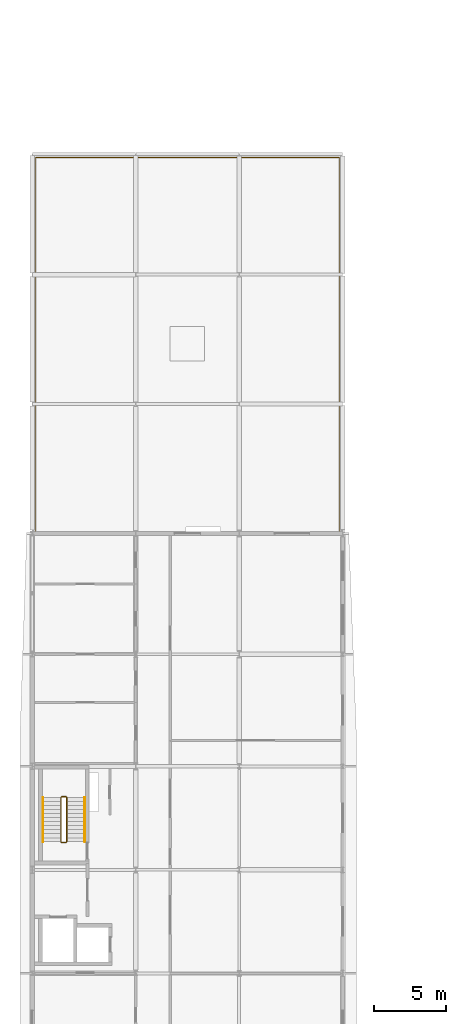
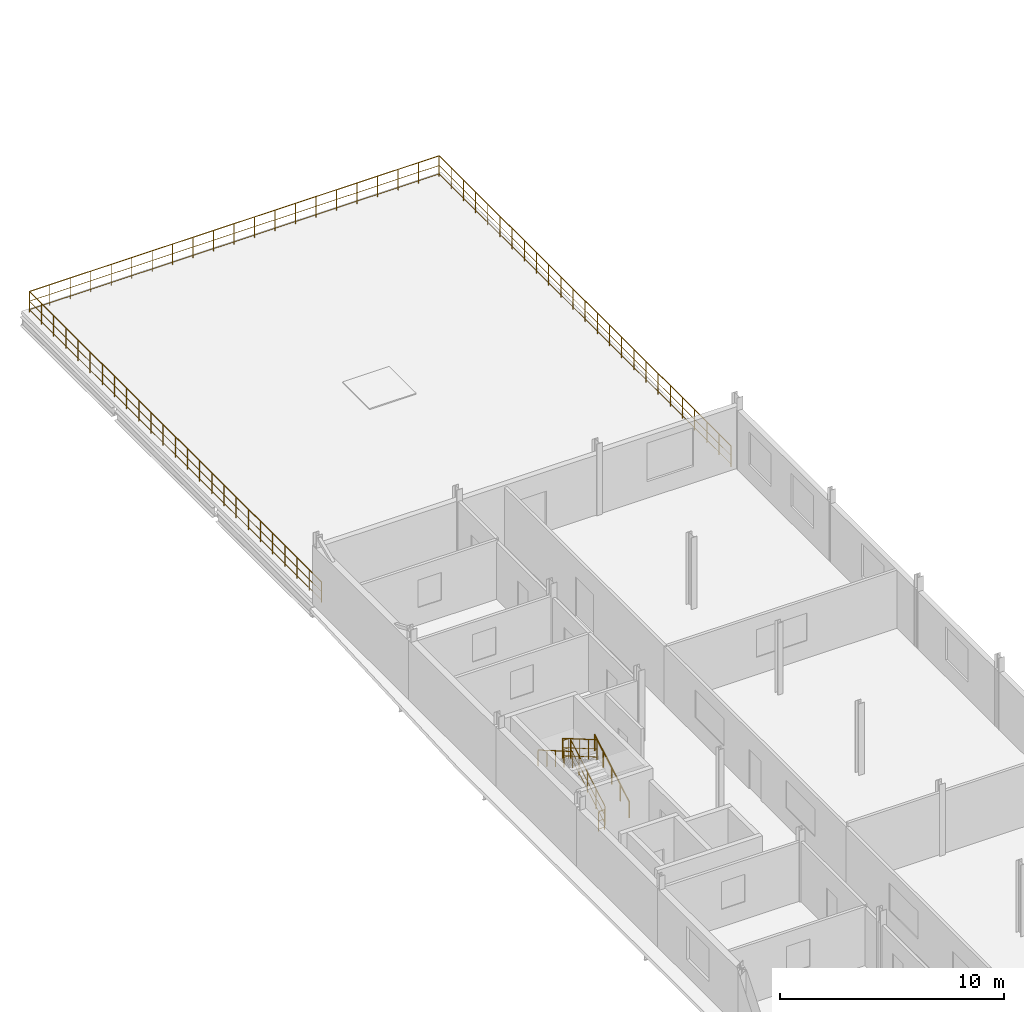
# One storey, part 17 of 17: 7 railings.
"""IFC4 building model written with IfcOpenShell, lengths in metres."""

from ifc_helpers import new_model, si_unit, direction, frame, origin, origin_2d, place, context, subcontext, project, spatial, circle, extrude, material, type_object, element, save


model = new_model("IFC4")

# Units and contexts
model_context = context("Model", 3, precision=1e-05, world=origin(), true_north=direction((0.0, 1.0)))
body_context = subcontext(model_context, "Body", "Model", "MODEL_VIEW")
ifc_project = project(units=[si_unit("LENGTHUNIT", "METRE"), si_unit("AREAUNIT", "SQUARE_METRE"), si_unit("VOLUMEUNIT", "CUBIC_METRE"), si_unit("PLANEANGLEUNIT", "RADIAN"), si_unit("MASSUNIT", "GRAM", prefix="KILO")], contexts=[model_context])

# Site, building, storey
site_placement = place(None, origin())
site = spatial("IfcSite", under=ifc_project, at=site_placement, CompositionType="ELEMENT")
building_placement = place(site_placement, origin())
building = spatial("IfcBuilding", under=site, at=building_placement, Name="Vinh Khe Railworks Police Headquarters", CompositionType="ELEMENT")
storey_placement = place(building_placement, frame((0.0, 0.0, 24.89990234375)))
storey = spatial("IfcBuildingStorey", under=building, at=storey_placement, Name="L06", CompositionType="ELEMENT", Elevation=24.89990234375)

# Railings
ifc_material_1 = material(Name="Dark steel and laminated safety glass", Category="steel")
railing_type_1 = type_object("IfcRailingType", Name="RL-ATRIUM-1150", PredefinedType="BALUSTRADE", material=ifc_material_1)
railing_1_placement = place(storey_placement, frame((0.85009765625, 104.5, 0.0)))
element("IfcRailing", 1, at=railing_1_placement, inside=storey, type_object=railing_type_1, Name="Atrium and Terrace Guard Balustrade GR-V5-L06-TERR", PredefinedType="BALUSTRADE", context=body_context, shape_type="SweptSolid", body=[
    extrude(circle(Radius=0.02392578125, at=origin_2d()), frame((0.0, 0.0, 1.1259765625), z_axis=(0.0, 1.0, 0.0), x_axis=(-1.0, 0.0, 0.0)), (0.0, 0.0, 1.0), 26.050048828125),
    extrude(circle(Radius=0.01416015625, at=origin_2d()), frame((0.0, 0.0, 0.137939453125), z_axis=(0.0, 1.0, 0.0), x_axis=(-1.0, 0.0, 0.0)), (0.0, 0.0, 1.0), 26.050048828125),
    extrude(circle(Radius=0.01416015625, at=origin_2d()), frame((0.0, 0.0, 0.597900390625), z_axis=(0.0, 1.0, 0.0), x_axis=(-1.0, 0.0, 0.0)), (0.0, 0.0, 1.0), 26.050048828125),
    extrude(circle(Radius=0.02392578125, at=origin_2d()), frame((0.0, 26.050048828125, 1.1259765625), z_axis=(1.0, 0.0, 0.0), x_axis=(0.0, 1.0, 0.0)), (0.0, 0.0, 1.0), 21.099853515625),
    extrude(circle(Radius=0.01416015625, at=origin_2d()), frame((0.0, 26.050048828125, 0.137939453125), z_axis=(1.0, 0.0, 0.0), x_axis=(0.0, 1.0, 0.0)), (0.0, 0.0, 1.0), 21.099853515625),
    extrude(circle(Radius=0.01416015625, at=origin_2d()), frame((0.0, 26.050048828125, 0.597900390625), z_axis=(1.0, 0.0, 0.0), x_axis=(0.0, 1.0, 0.0)), (0.0, 0.0, 1.0), 21.099853515625),
    extrude(circle(Radius=0.02392578125, at=origin_2d()), frame((21.099853515625, 26.050048828125, 1.1259765625), z_axis=(0.0, -1.0, 0.0), x_axis=(1.0, 0.0, 0.0)), (0.0, 0.0, 1.0), 26.050048828125),
    extrude(circle(Radius=0.01416015625, at=origin_2d()), frame((21.099853515625, 26.050048828125, 0.137939453125), z_axis=(0.0, -1.0, 0.0), x_axis=(1.0, 0.0, 0.0)), (0.0, 0.0, 1.0), 26.050048828125),
    extrude(circle(Radius=0.01416015625, at=origin_2d()), frame((21.099853515625, 26.050048828125, 0.597900390625), z_axis=(0.0, -1.0, 0.0), x_axis=(1.0, 0.0, 0.0)), (0.0, 0.0, 1.0), 26.050048828125),
    extrude(circle(Radius=0.02099609375, at=origin_2d()), origin(), (0.0, 0.0, 1.0), 1.101806640625),
    extrude(circle(Radius=0.02099609375, at=origin_2d()), frame((0.0, 1.08544921875, 0.0)), (0.0, 0.0, 1.0), 1.101806640625),
    extrude(circle(Radius=0.02099609375, at=origin_2d()), frame((0.0, 2.1708984375, 0.0)), (0.0, 0.0, 1.0), 1.101806640625),
    extrude(circle(Radius=0.02099609375, at=origin_2d()), frame((0.0, 3.25634765625, 0.0)), (0.0, 0.0, 1.0), 1.101806640625),
    extrude(circle(Radius=0.02099609375, at=origin_2d()), frame((0.0, 4.341796875, 0.0)), (0.0, 0.0, 1.0), 1.101806640625),
    extrude(circle(Radius=0.02099609375, at=origin_2d()), frame((0.0, 5.427001953125, 0.0)), (0.0, 0.0, 1.0), 1.101806640625),
    extrude(circle(Radius=0.02099609375, at=origin_2d()), frame((0.0, 6.512451171875, 0.0)), (0.0, 0.0, 1.0), 1.101806640625),
    extrude(circle(Radius=0.02099609375, at=origin_2d()), frame((0.0, 7.597900390625, 0.0)), (0.0, 0.0, 1.0), 1.101806640625),
    extrude(circle(Radius=0.02099609375, at=origin_2d()), frame((0.0, 8.683349609375, 0.0)), (0.0, 0.0, 1.0), 1.101806640625),
    extrude(circle(Radius=0.02099609375, at=origin_2d()), frame((0.0, 9.768798828125, 0.0)), (0.0, 0.0, 1.0), 1.101806640625),
    extrude(circle(Radius=0.02099609375, at=origin_2d()), frame((0.0, 10.854248046875, 0.0)), (0.0, 0.0, 1.0), 1.101806640625),
    extrude(circle(Radius=0.02099609375, at=origin_2d()), frame((0.0, 11.939697265625, 0.0)), (0.0, 0.0, 1.0), 1.101806640625),
    extrude(circle(Radius=0.02099609375, at=origin_2d()), frame((0.0, 13.02490234375, 0.0)), (0.0, 0.0, 1.0), 1.101806640625),
    extrude(circle(Radius=0.02099609375, at=origin_2d()), frame((0.0, 14.1103515625, 0.0)), (0.0, 0.0, 1.0), 1.101806640625),
    extrude(circle(Radius=0.02099609375, at=origin_2d()), frame((0.0, 15.19580078125, 0.0)), (0.0, 0.0, 1.0), 1.101806640625),
    extrude(circle(Radius=0.02099609375, at=origin_2d()), frame((0.0, 16.28125, 0.0)), (0.0, 0.0, 1.0), 1.101806640625),
    extrude(circle(Radius=0.02099609375, at=origin_2d()), frame((0.0, 17.36669921875, 0.0)), (0.0, 0.0, 1.0), 1.101806640625),
    extrude(circle(Radius=0.02099609375, at=origin_2d()), frame((0.0, 18.4521484375, 0.0)), (0.0, 0.0, 1.0), 1.101806640625),
    extrude(circle(Radius=0.02099609375, at=origin_2d()), frame((0.0, 19.53759765625, 0.0)), (0.0, 0.0, 1.0), 1.101806640625),
    extrude(circle(Radius=0.02099609375, at=origin_2d()), frame((0.0, 20.623046875, 0.0)), (0.0, 0.0, 1.0), 1.101806640625),
    extrude(circle(Radius=0.02099609375, at=origin_2d()), frame((0.0, 21.70849609375, 0.0)), (0.0, 0.0, 1.0), 1.101806640625),
    extrude(circle(Radius=0.02099609375, at=origin_2d()), frame((0.0, 22.793701171875, 0.0)), (0.0, 0.0, 1.0), 1.101806640625),
    extrude(circle(Radius=0.02099609375, at=origin_2d()), frame((0.0, 23.879150390625, 0.0)), (0.0, 0.0, 1.0), 1.101806640625),
    extrude(circle(Radius=0.02099609375, at=origin_2d()), frame((0.0, 24.964599609375, 0.0)), (0.0, 0.0, 1.0), 1.101806640625),
    extrude(circle(Radius=0.02099609375, at=origin_2d()), frame((0.0, 26.050048828125, 0.0)), (0.0, 0.0, 1.0), 1.101806640625),
    extrude(circle(Radius=0.02099609375, at=origin_2d()), frame((1.054931640625, 26.050048828125, 0.0)), (0.0, 0.0, 1.0), 1.101806640625),
    extrude(circle(Radius=0.02099609375, at=origin_2d()), frame((2.10986328125, 26.050048828125, 0.0)), (0.0, 0.0, 1.0), 1.101806640625),
    extrude(circle(Radius=0.02099609375, at=origin_2d()), frame((3.1650390625, 26.050048828125, 0.0)), (0.0, 0.0, 1.0), 1.101806640625),
    extrude(circle(Radius=0.02099609375, at=origin_2d()), frame((4.219970703125, 26.050048828125, 0.0)), (0.0, 0.0, 1.0), 1.101806640625),
    extrude(circle(Radius=0.02099609375, at=origin_2d()), frame((5.27490234375, 26.050048828125, 0.0)), (0.0, 0.0, 1.0), 1.101806640625),
    extrude(circle(Radius=0.02099609375, at=origin_2d()), frame((6.330078125, 26.050048828125, 0.0)), (0.0, 0.0, 1.0), 1.101806640625),
    extrude(circle(Radius=0.02099609375, at=origin_2d()), frame((7.385009765625, 26.050048828125, 0.0)), (0.0, 0.0, 1.0), 1.101806640625),
    extrude(circle(Radius=0.02099609375, at=origin_2d()), frame((8.43994140625, 26.050048828125, 0.0)), (0.0, 0.0, 1.0), 1.101806640625),
    extrude(circle(Radius=0.02099609375, at=origin_2d()), frame((9.494873046875, 26.050048828125, 0.0)), (0.0, 0.0, 1.0), 1.101806640625),
    extrude(circle(Radius=0.02099609375, at=origin_2d()), frame((10.5498046875, 26.050048828125, 0.0)), (0.0, 0.0, 1.0), 1.101806640625),
    extrude(circle(Radius=0.02099609375, at=origin_2d()), frame((11.60498046875, 26.050048828125, 0.0)), (0.0, 0.0, 1.0), 1.101806640625),
    extrude(circle(Radius=0.02099609375, at=origin_2d()), frame((12.659912109375, 26.050048828125, 0.0)), (0.0, 0.0, 1.0), 1.101806640625),
    extrude(circle(Radius=0.02099609375, at=origin_2d()), frame((13.71484375, 26.050048828125, 0.0)), (0.0, 0.0, 1.0), 1.101806640625),
    extrude(circle(Radius=0.02099609375, at=origin_2d()), frame((14.769775390625, 26.050048828125, 0.0)), (0.0, 0.0, 1.0), 1.101806640625),
    extrude(circle(Radius=0.02099609375, at=origin_2d()), frame((15.824951171875, 26.050048828125, 0.0)), (0.0, 0.0, 1.0), 1.101806640625),
    extrude(circle(Radius=0.02099609375, at=origin_2d()), frame((16.8798828125, 26.050048828125, 0.0)), (0.0, 0.0, 1.0), 1.101806640625),
    extrude(circle(Radius=0.02099609375, at=origin_2d()), frame((17.934814453125, 26.050048828125, 0.0)), (0.0, 0.0, 1.0), 1.101806640625),
    extrude(circle(Radius=0.02099609375, at=origin_2d()), frame((18.98974609375, 26.050048828125, 0.0)), (0.0, 0.0, 1.0), 1.101806640625),
    extrude(circle(Radius=0.02099609375, at=origin_2d()), frame((20.044921875, 26.050048828125, 0.0)), (0.0, 0.0, 1.0), 1.101806640625),
    extrude(circle(Radius=0.02099609375, at=origin_2d()), frame((21.099853515625, 26.050048828125, 0.0)), (0.0, 0.0, 1.0), 1.101806640625),
    extrude(circle(Radius=0.02099609375, at=origin_2d()), frame((21.099853515625, 24.964599609375, 0.0)), (0.0, 0.0, 1.0), 1.101806640625),
    extrude(circle(Radius=0.02099609375, at=origin_2d()), frame((21.099853515625, 23.879150390625, 0.0)), (0.0, 0.0, 1.0), 1.101806640625),
    extrude(circle(Radius=0.02099609375, at=origin_2d()), frame((21.099853515625, 22.793701171875, 0.0)), (0.0, 0.0, 1.0), 1.101806640625),
    extrude(circle(Radius=0.02099609375, at=origin_2d()), frame((21.099853515625, 21.70849609375, 0.0)), (0.0, 0.0, 1.0), 1.101806640625),
    extrude(circle(Radius=0.02099609375, at=origin_2d()), frame((21.099853515625, 20.623046875, 0.0)), (0.0, 0.0, 1.0), 1.101806640625),
    extrude(circle(Radius=0.02099609375, at=origin_2d()), frame((21.099853515625, 19.53759765625, 0.0)), (0.0, 0.0, 1.0), 1.101806640625),
    extrude(circle(Radius=0.02099609375, at=origin_2d()), frame((21.099853515625, 18.4521484375, 0.0)), (0.0, 0.0, 1.0), 1.101806640625),
    extrude(circle(Radius=0.02099609375, at=origin_2d()), frame((21.099853515625, 17.36669921875, 0.0)), (0.0, 0.0, 1.0), 1.101806640625),
    extrude(circle(Radius=0.02099609375, at=origin_2d()), frame((21.099853515625, 16.28125, 0.0)), (0.0, 0.0, 1.0), 1.101806640625),
    extrude(circle(Radius=0.02099609375, at=origin_2d()), frame((21.099853515625, 15.19580078125, 0.0)), (0.0, 0.0, 1.0), 1.101806640625),
    extrude(circle(Radius=0.02099609375, at=origin_2d()), frame((21.099853515625, 14.1103515625, 0.0)), (0.0, 0.0, 1.0), 1.101806640625),
    extrude(circle(Radius=0.02099609375, at=origin_2d()), frame((21.099853515625, 13.02490234375, 0.0)), (0.0, 0.0, 1.0), 1.101806640625),
    extrude(circle(Radius=0.02099609375, at=origin_2d()), frame((21.099853515625, 11.939697265625, 0.0)), (0.0, 0.0, 1.0), 1.101806640625),
    extrude(circle(Radius=0.02099609375, at=origin_2d()), frame((21.099853515625, 10.854248046875, 0.0)), (0.0, 0.0, 1.0), 1.101806640625),
    extrude(circle(Radius=0.02099609375, at=origin_2d()), frame((21.099853515625, 9.768798828125, 0.0)), (0.0, 0.0, 1.0), 1.101806640625),
    extrude(circle(Radius=0.02099609375, at=origin_2d()), frame((21.099853515625, 8.683349609375, 0.0)), (0.0, 0.0, 1.0), 1.101806640625),
    extrude(circle(Radius=0.02099609375, at=origin_2d()), frame((21.099853515625, 7.597900390625, 0.0)), (0.0, 0.0, 1.0), 1.101806640625),
    extrude(circle(Radius=0.02099609375, at=origin_2d()), frame((21.099853515625, 6.512451171875, 0.0)), (0.0, 0.0, 1.0), 1.101806640625),
    extrude(circle(Radius=0.02099609375, at=origin_2d()), frame((21.099853515625, 5.427001953125, 0.0)), (0.0, 0.0, 1.0), 1.101806640625),
    extrude(circle(Radius=0.02099609375, at=origin_2d()), frame((21.099853515625, 4.341796875, 0.0)), (0.0, 0.0, 1.0), 1.101806640625),
    extrude(circle(Radius=0.02099609375, at=origin_2d()), frame((21.099853515625, 3.25634765625, 0.0)), (0.0, 0.0, 1.0), 1.101806640625),
    extrude(circle(Radius=0.02099609375, at=origin_2d()), frame((21.099853515625, 2.1708984375, 0.0)), (0.0, 0.0, 1.0), 1.101806640625),
    extrude(circle(Radius=0.02099609375, at=origin_2d()), frame((21.099853515625, 1.08544921875, 0.0)), (0.0, 0.0, 1.0), 1.101806640625),
    extrude(circle(Radius=0.02099609375, at=origin_2d()), frame((21.099853515625, 0.0, 0.0)), (0.0, 0.0, 1.0), 1.101806640625),
])
ifc_material_2 = material(Name="Painted tubular steel", Category="steel")
railing_type_2 = type_object("IfcRailingType", Name="RL-GUARD-1100", PredefinedType="GUARDRAIL", material=ifc_material_2)
railing_2_placement = place(storey_placement, frame((3.0, 82.949951171875, 0.16259765625)))
element("IfcRailing", 2, at=railing_2_placement, inside=storey, type_object=railing_type_2, Name="L06 ST-02 stair guard 1", PredefinedType="GUARDRAIL", context=body_context, shape_type="SweptSolid", body=[
    extrude(circle(Radius=0.02392578125, at=origin_2d()), frame((0.0, 0.0, 1.076171875), z_axis=(0.0, 0.864890721111, 0.501960198159), x_axis=(-1.0, 0.0, 0.0)), (0.0, 0.0, 1.0), 3.561279296875),
    extrude(circle(Radius=0.01416015625, at=origin_2d()), frame((0.0, 0.0, 0.132080078125), z_axis=(0.0, 0.864890721111, 0.501960198159), x_axis=(-1.0, 0.0, 0.0)), (0.0, 0.0, 1.0), 3.561279296875),
    extrude(circle(Radius=0.01416015625, at=origin_2d()), frame((0.0, 0.0, 0.572021484375), z_axis=(0.0, 0.864890721111, 0.501960198159), x_axis=(-1.0, 0.0, 0.0)), (0.0, 0.0, 1.0), 3.561279296875),
    extrude(circle(Radius=0.02099609375, at=origin_2d()), origin(), (0.0, 0.0, 1.0), 1.052001953125),
    extrude(circle(Radius=0.02099609375, at=origin_2d()), frame((0.0, 0.77001953125, 0.44677734375)), (0.0, 0.0, 1.0), 1.052001953125),
    extrude(circle(Radius=0.02099609375, at=origin_2d()), frame((0.0, 1.5400390625, 0.893798828125)), (0.0, 0.0, 1.0), 1.052001953125),
    extrude(circle(Radius=0.02099609375, at=origin_2d()), frame((0.0, 2.31005859375, 1.3408203125)), (0.0, 0.0, 1.0), 1.052001953125),
    extrude(circle(Radius=0.02099609375, at=origin_2d()), frame((0.0, 3.080078125, 1.78759765625)), (0.0, 0.0, 1.0), 1.052001953125),
])
railing_3_placement = place(storey_placement, frame((2.949951171875, 86.080078125, 1.9501953125)))
element("IfcRailing", 3, at=railing_3_placement, inside=storey, type_object=railing_type_2, Name="L06 ST-02 stair guard 2", PredefinedType="GUARDRAIL", context=body_context, shape_type="SweptSolid", body=[
    extrude(circle(Radius=0.02392578125, at=origin_2d()), frame((0.0, 0.0, 1.076171875), z_axis=(-1.0, 0.0, 0.0), x_axis=(0.0, -1.0, 0.0)), (0.0, 0.0, 1.0), 0.300048828125),
    extrude(circle(Radius=0.01416015625, at=origin_2d()), frame((0.0, 0.0, 0.132080078125), z_axis=(-1.0, 0.0, 0.0), x_axis=(0.0, -1.0, 0.0)), (0.0, 0.0, 1.0), 0.300048828125),
    extrude(circle(Radius=0.01416015625, at=origin_2d()), frame((0.0, 0.0, 0.572021484375), z_axis=(-1.0, 0.0, 0.0), x_axis=(0.0, -1.0, 0.0)), (0.0, 0.0, 1.0), 0.300048828125),
    extrude(circle(Radius=0.02099609375, at=origin_2d()), origin(), (0.0, 0.0, 1.0), 1.052001953125),
    extrude(circle(Radius=0.02099609375, at=origin_2d()), frame((-0.300048828125, 0.0, 0.0)), (0.0, 0.0, 1.0), 1.052001953125),
])
railing_4_placement = place(storey_placement, frame((2.60009765625, 86.030029296875, 2.112548828125)))
element("IfcRailing", 4, at=railing_4_placement, inside=storey, type_object=railing_type_2, Name="L06 ST-02 stair guard 3", PredefinedType="GUARDRAIL", context=body_context, shape_type="SweptSolid", body=[
    extrude(circle(Radius=0.02392578125, at=origin_2d()), frame((0.0, 0.0, 1.076171875), z_axis=(0.0, -0.864890721111, 0.501960198159), x_axis=(1.0, 0.0, 0.0)), (0.0, 0.0, 1.0), 3.561279296875),
    extrude(circle(Radius=0.01416015625, at=origin_2d()), frame((0.0, 0.0, 0.132080078125), z_axis=(0.0, -0.864890721111, 0.501960198159), x_axis=(1.0, 0.0, 0.0)), (0.0, 0.0, 1.0), 3.561279296875),
    extrude(circle(Radius=0.01416015625, at=origin_2d()), frame((0.0, 0.0, 0.572021484375), z_axis=(0.0, -0.864890721111, 0.501960198159), x_axis=(1.0, 0.0, 0.0)), (0.0, 0.0, 1.0), 3.561279296875),
    extrude(circle(Radius=0.02099609375, at=origin_2d()), origin(), (0.0, 0.0, 1.0), 1.052001953125),
    extrude(circle(Radius=0.02099609375, at=origin_2d()), frame((0.0, -0.77001953125, 0.44677734375)), (0.0, 0.0, 1.0), 1.052001953125),
    extrude(circle(Radius=0.02099609375, at=origin_2d()), frame((0.0, -1.5400390625, 0.893798828125)), (0.0, 0.0, 1.0), 1.052001953125),
    extrude(circle(Radius=0.02099609375, at=origin_2d()), frame((0.0, -2.31005859375, 1.3408203125)), (0.0, 0.0, 1.0), 1.052001953125),
    extrude(circle(Radius=0.02099609375, at=origin_2d()), frame((0.0, -3.080078125, 1.78759765625)), (0.0, 0.0, 1.0), 1.052001953125),
])
railing_5_placement = place(storey_placement, frame((2.949951171875, 82.89990234375, 0.0)))
element("IfcRailing", 5, at=railing_5_placement, inside=storey, type_object=railing_type_2, Name="L06 ST-02 stair guard 4", PredefinedType="GUARDRAIL", context=body_context, shape_type="SweptSolid", body=[
    extrude(circle(Radius=0.02392578125, at=origin_2d()), frame((0.0, 0.0, 1.076171875), z_axis=(-1.0, 0.0, 0.0), x_axis=(0.0, -1.0, 0.0)), (0.0, 0.0, 1.0), 0.300048828125),
    extrude(circle(Radius=0.01416015625, at=origin_2d()), frame((0.0, 0.0, 0.132080078125), z_axis=(-1.0, 0.0, 0.0), x_axis=(0.0, -1.0, 0.0)), (0.0, 0.0, 1.0), 0.300048828125),
    extrude(circle(Radius=0.01416015625, at=origin_2d()), frame((0.0, 0.0, 0.572021484375), z_axis=(-1.0, 0.0, 0.0), x_axis=(0.0, -1.0, 0.0)), (0.0, 0.0, 1.0), 0.300048828125),
    extrude(circle(Radius=0.02099609375, at=origin_2d()), origin(), (0.0, 0.0, 1.0), 1.052001953125),
    extrude(circle(Radius=0.02099609375, at=origin_2d()), frame((-0.300048828125, 0.0, 0.0)), (0.0, 0.0, 1.0), 1.052001953125),
])
ifc_material_3 = material(Name="Brushed stainless steel", Category="steel")
railing_type_3 = type_object("IfcRailingType", Name="RL-HAND-900", PredefinedType="HANDRAIL", material=ifc_material_3)
railing_6_placement = place(storey_placement, frame((4.25, 82.949951171875, 0.16259765625)))
element("IfcRailing", 6, at=railing_6_placement, inside=storey, type_object=railing_type_3, Name="L06 ST-02 stair handrail 1", PredefinedType="HANDRAIL", context=body_context, shape_type="SweptSolid", body=[
    extrude(circle(Radius=0.02392578125, at=origin_2d()), frame((0.0, 0.0, 0.8759765625), z_axis=(0.0, 0.864890721111, 0.501960198159), x_axis=(-1.0, 0.0, 0.0)), (0.0, 0.0, 1.0), 3.561279296875),
    extrude(circle(Radius=0.02099609375, at=origin_2d()), origin(), (0.0, 0.0, 1.0), 0.851806640625),
    extrude(circle(Radius=0.02099609375, at=origin_2d()), frame((0.0, 0.77001953125, 0.44677734375)), (0.0, 0.0, 1.0), 0.851806640625),
    extrude(circle(Radius=0.02099609375, at=origin_2d()), frame((0.0, 1.5400390625, 0.893798828125)), (0.0, 0.0, 1.0), 0.851806640625),
    extrude(circle(Radius=0.02099609375, at=origin_2d()), frame((0.0, 2.31005859375, 1.3408203125)), (0.0, 0.0, 1.0), 0.851806640625),
    extrude(circle(Radius=0.02099609375, at=origin_2d()), frame((0.0, 3.080078125, 1.78759765625)), (0.0, 0.0, 1.0), 0.851806640625),
])
railing_7_placement = place(storey_placement, frame((1.35009765625, 86.030029296875, 2.112548828125)))
element("IfcRailing", 7, at=railing_7_placement, inside=storey, type_object=railing_type_3, Name="L06 ST-02 stair handrail 2", PredefinedType="HANDRAIL", context=body_context, shape_type="SweptSolid", body=[
    extrude(circle(Radius=0.02392578125, at=origin_2d()), frame((0.0, 0.0, 0.8759765625), z_axis=(0.0, -0.864890721111, 0.501960198159), x_axis=(1.0, 0.0, 0.0)), (0.0, 0.0, 1.0), 3.561279296875),
    extrude(circle(Radius=0.02099609375, at=origin_2d()), origin(), (0.0, 0.0, 1.0), 0.851806640625),
    extrude(circle(Radius=0.02099609375, at=origin_2d()), frame((0.0, -0.77001953125, 0.44677734375)), (0.0, 0.0, 1.0), 0.851806640625),
    extrude(circle(Radius=0.02099609375, at=origin_2d()), frame((0.0, -1.5400390625, 0.893798828125)), (0.0, 0.0, 1.0), 0.851806640625),
    extrude(circle(Radius=0.02099609375, at=origin_2d()), frame((0.0, -2.31005859375, 1.3408203125)), (0.0, 0.0, 1.0), 0.851806640625),
    extrude(circle(Radius=0.02099609375, at=origin_2d()), frame((0.0, -3.080078125, 1.78759765625)), (0.0, 0.0, 1.0), 0.851806640625),
])

save(model, "model.ifc")
